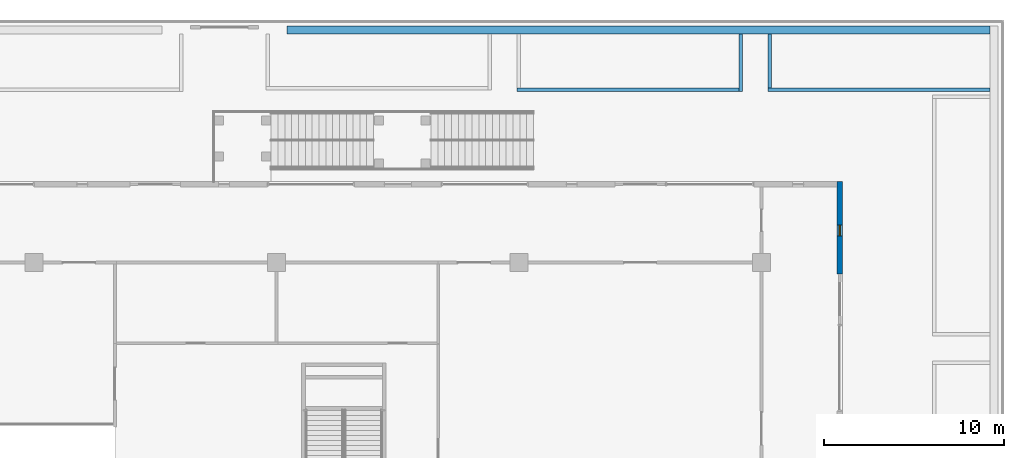
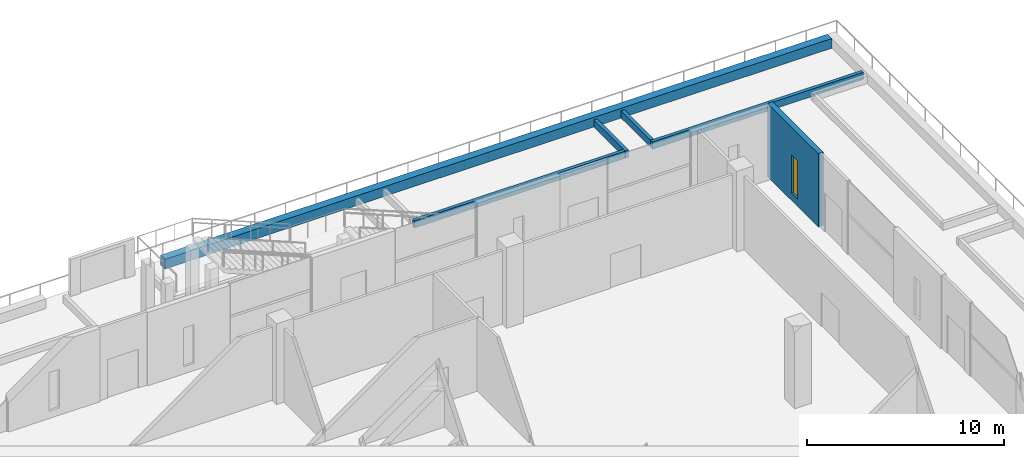
# One storey, part 41 of 49: 6 walls, 1 window, 1 opening.
"""IFC4 building model written with IfcOpenShell, lengths in metres."""

import ifcopenshell
import ifcopenshell.guid

model = None  # the IFC model being written
_history = None  # IfcOwnerHistory: only IFC2X3 demands one
_inside = {}  # id of a spatial element -> (the spatial element, [elements in it])
_under = {}  # id of a project, library or spatial element -> (it, [spatial elements below it])
_declared = {}  # id of a project -> (the project, [libraries it declares])
_typed = {}  # id of a type object -> (the type object, [elements of that type])
_made_of = {}  # id of a material, layer set ... -> (it, [elements and type objects made of it])


def new_model(schema):
    """Start an empty IFC model of exactly this schema.

    Asked for "IFC4X3", IfcOpenShell would pick the latest addendum, in which some entities
    have other attributes; the version numbers below select the first issue.
    IFC2X3 requires an IfcOwnerHistory on every rooted entity: one is made here for all.
    """
    global model, _history
    if schema == "IFC4X3":
        model = ifcopenshell.file(schema_version=(4, 3, 0, 0))
    else:
        model = ifcopenshell.file(schema=schema)
    _inside.clear()
    _under.clear()
    _declared.clear()
    _typed.clear()
    _made_of.clear()
    _history = None
    if model.schema == "IFC2X3":
        org = make("IfcOrganization", Name="unknown")
        user = make(
            "IfcPersonAndOrganization",
            ThePerson=make("IfcPerson", FamilyName="unknown"),
            TheOrganization=org,
        )
        app = make(
            "IfcApplication",
            ApplicationDeveloper=org,
            Version="unknown",
            ApplicationFullName="unknown",
            ApplicationIdentifier="unknown",
        )
        _history = make(
            "IfcOwnerHistory",
            OwningUser=user,
            OwningApplication=app,
            ChangeAction="ADDED",
            CreationDate=0,
        )
    return model


def make(cls, **values):
    """One entity of the class cls with the attributes given. An attribute that is None is left unset."""
    return model.create_entity(
        cls, **{name: value for name, value in values.items() if value is not None}
    )


def rooted(cls, **values):
    """An entity with a GlobalId (a new one), such as an element, a storey or a relation."""
    return make(cls, GlobalId=ifcopenshell.guid.new(), OwnerHistory=_history, **values)


def si_unit(unit_type, name, prefix=None):
    """IfcSIUnit, for example si_unit("LENGTHUNIT", "METRE", prefix="MILLI")."""
    return make("IfcSIUnit", UnitType=unit_type, Prefix=prefix, Name=name)


def assignment(units):
    """IfcUnitAssignment: the units of a project."""
    return None if units is None else make("IfcUnitAssignment", Units=units)


def point(xyz):
    """IfcCartesianPoint."""
    return None if xyz is None else make("IfcCartesianPoint", Coordinates=xyz)


def direction(xyz):
    """IfcDirection."""
    return None if xyz is None else make("IfcDirection", DirectionRatios=xyz)


def frame(location, z_axis=None, x_axis=None):
    """IfcAxis2Placement3D, a coordinate frame: its origin and axes. An axis left out is left unset."""
    return make(
        "IfcAxis2Placement3D",
        Location=point(location),
        Axis=direction(z_axis),
        RefDirection=direction(x_axis),
    )


def frame_2d(location, x_axis=None):
    """IfcAxis2Placement2D, a coordinate frame in the plane: its origin and x axis."""
    return make(
        "IfcAxis2Placement2D", Location=point(location), RefDirection=direction(x_axis)
    )


def origin():
    """The frame at (0, 0, 0) with its axes left unset."""
    return frame((0.0, 0.0, 0.0))


def place(relative_to, where):
    """IfcLocalPlacement: puts the frame where relative to a parent placement (None: the world)."""
    return make(
        "IfcLocalPlacement", PlacementRelTo=relative_to, RelativePlacement=where
    )


def context(
    kind, dimensions, precision=None, world=None, true_north=None, identifier=None
):
    """IfcGeometricRepresentationContext, for example the 3D "Model" context."""
    return make(
        "IfcGeometricRepresentationContext",
        ContextIdentifier=identifier,
        ContextType=kind,
        CoordinateSpaceDimension=dimensions,
        Precision=precision,
        WorldCoordinateSystem=world,
        TrueNorth=true_north,
    )


def subcontext(parent, identifier, kind, view, scale=None):
    """IfcGeometricRepresentationSubContext, for example "Body" below "Model"."""
    return make(
        "IfcGeometricRepresentationSubContext",
        ContextIdentifier=identifier,
        ContextType=kind,
        ParentContext=parent,
        TargetScale=scale,
        TargetView=view,
    )


def project(units=None, contexts=None):
    """IfcProject with its units and contexts."""
    return rooted(
        "IfcProject",
        Name="project",
        RepresentationContexts=contexts,
        UnitsInContext=assignment(units),
    )


def spatial(cls, under=None, at=None, **own):
    """A site, building, storey or space (cls), placed at a placement, below another one or the project."""
    s = rooted(cls, ObjectPlacement=at, **own)
    if under is not None:
        _under.setdefault(under.id(), (under, []))[1].append(s)
    return s


def profile(cls, at=None, kind="AREA", **sizes):
    """A parametric profile (cls). Its sizes go by their IFC names, for example OverallWidth=200.0."""
    return make(cls, ProfileType=kind, Position=at, **sizes)


def rectangle(**sizes):
    """IfcRectangleProfileDef."""
    return profile("IfcRectangleProfileDef", **sizes)


def extrude(swept, where, along, depth):
    """IfcExtrudedAreaSolid: the profile swept, set in the frame where, extruded along a direction by depth."""
    return make(
        "IfcExtrudedAreaSolid",
        SweptArea=swept,
        Position=where,
        ExtrudedDirection=direction(along),
        Depth=depth,
    )


def shape(context_of_items, identifier, shape_type, items):
    """IfcShapeRepresentation: the items that make up one representation, for example the "Body"."""
    return make(
        "IfcShapeRepresentation",
        ContextOfItems=context_of_items,
        RepresentationIdentifier=identifier,
        RepresentationType=shape_type,
        Items=items,
    )


def material(Name=None, Category=None):
    """IfcMaterial."""
    return make("IfcMaterial", Name=Name, Category=Category)


def layer(
    of_material, thickness, ventilated=None, Name=None, Category=None, Priority=None
):
    """IfcMaterialLayer: one layer of a wall or slab, of a material (None: an air gap)."""
    return make(
        "IfcMaterialLayer",
        Material=of_material,
        LayerThickness=thickness,
        IsVentilated=ventilated,
        Name=Name,
        Category=Category,
        Priority=Priority,
    )


def layer_set(layers, Name=None):
    """IfcMaterialLayerSet."""
    return make("IfcMaterialLayerSet", MaterialLayers=layers, LayerSetName=Name)


def made_of(thing, what):
    """Note that an element or type object is made of a material, layer set ...; save() writes the relation."""
    if what is not None:
        _made_of.setdefault(what.id(), (what, []))[1].append(thing)
    return thing


def type_object(cls, material=None, **own):
    """A type object (cls), such as IfcWallType, which elements share."""
    return made_of(rooted(cls, **own), material)


def element(
    cls,
    number,
    at=None,
    inside=None,
    cuts=None,
    type_object=None,
    material=None,
    context=None,
    identifier="Body",
    shape_type=None,
    held_by="IfcProductDefinitionShape",
    body=None,
    shapes=None,
    **own,
):
    """One element of the class cls, such as IfcWall. Its Tag is "e" and its number.

    at: its placement. inside: the storey or other place that contains it. cuts: it is an
    opening in that element (IfcRelVoidsElement). A single representation is given by context,
    identifier, shape_type and body (its items); several are given by shapes. held_by: the class
    of the entity that holds the representations. save() writes the other relations.
    """
    e = rooted(cls, Tag="e%d" % number, ObjectPlacement=at, **own)
    if body is not None:
        shapes = [shape(context, identifier, shape_type, body)]
    if shapes is not None:
        e.Representation = make(held_by, Representations=shapes)
    if inside is not None:
        _inside.setdefault(inside.id(), (inside, []))[1].append(e)
    if cuts is not None:
        rooted(
            "IfcRelVoidsElement", RelatingBuildingElement=cuts, RelatedOpeningElement=e
        )
    if type_object is not None:
        _typed.setdefault(type_object.id(), (type_object, []))[1].append(e)
    return made_of(e, material)


def fill(opening, filler):
    """IfcRelFillsElement: the door or window that sits in an opening."""
    return rooted(
        "IfcRelFillsElement",
        RelatingOpeningElement=opening,
        RelatedBuildingElement=filler,
    )


def aggregate(whole, parts):
    """IfcRelAggregates: a whole, such as a stair, and the parts it consists of."""
    return rooted("IfcRelAggregates", RelatingObject=whole, RelatedObjects=parts)


def save(model, path):
    """Write the relations noted so far, then the file.

    IfcRelAggregates (storeys below a building ...), IfcRelContainedInSpatialStructure (elements
    in a storey), IfcRelDefinesByType, IfcRelAssociatesMaterial and IfcRelDeclares: one each for
    every whole, place, type object, material and project.
    """
    for whole, parts in _under.values():
        aggregate(whole, parts)
    for where, things in _inside.values():
        rooted(
            "IfcRelContainedInSpatialStructure",
            RelatedElements=things,
            RelatingStructure=where,
        )
    for kind, things in _typed.values():
        rooted("IfcRelDefinesByType", RelatedObjects=things, RelatingType=kind)
    for what, things in _made_of.values():
        rooted("IfcRelAssociatesMaterial", RelatedObjects=things, RelatingMaterial=what)
    for by, libraries in _declared.values():
        rooted("IfcRelDeclares", RelatingContext=by, RelatedDefinitions=libraries)
    model.write(path)


model = new_model("IFC4")

# Units and contexts
model_context = context("Model", 3, precision=1e-05, world=origin(), true_north=direction((0.0, 1.0)))
body_context = subcontext(model_context, "Body", "Model", "MODEL_VIEW")
ifc_project = project(units=[si_unit("LENGTHUNIT", "METRE"), si_unit("AREAUNIT", "SQUARE_METRE"), si_unit("VOLUMEUNIT", "CUBIC_METRE"), si_unit("PLANEANGLEUNIT", "RADIAN"), si_unit("MASSUNIT", "GRAM", prefix="KILO")], contexts=[model_context])

# Site, building, storey
site_placement = place(None, origin())
site = spatial("IfcSite", under=ifc_project, at=site_placement, CompositionType="ELEMENT")
building_placement = place(site_placement, origin())
building = spatial("IfcBuilding", under=site, at=building_placement, Name="Altepetl Exchange Towers", CompositionType="ELEMENT")
storey_placement = place(building_placement, frame((0.0, 0.0, 11.5)))
storey = spatial("IfcBuildingStorey", under=building, at=storey_placement, Name="L02 Exchange podium", CompositionType="ELEMENT", Elevation=11.5)

# Walls
ifc_material_1 = material(Name="Concrete C30/37", Category="concrete")
ifc_layer_1 = layer(ifc_material_1, 0.449951171875)
ifc_layer_set_1 = layer_set([ifc_layer_1], Name="Concrete C30/37")
wall_type_1 = type_object("IfcWallType", Name="Planter wall 450 concrete", PredefinedType="SOLIDWALL", material=ifc_layer_set_1)
wall_1_placement = place(storey_placement, frame((143.22509765625, 89.449951171875, 0.0), z_axis=(0.0, 0.0, 1.0), x_axis=(-1.0, 0.0, 0.0)))
element("IfcWall", 1, at=wall_1_placement, inside=storey, type_object=wall_type_1, Name="Planter bed wall", PredefinedType="SOLIDWALL", context=body_context, shape_type="SweptSolid", body=[
    extrude(rectangle(XDim=39.132568359375, YDim=0.449951171875, at=frame_2d((19.56640625, 0.0))), origin(), (0.0, 0.0, 1.0), 0.60009765625),
])
ifc_material_2 = material(Name="Reinforced concrete C35/45", Category="concrete")
ifc_layer_2 = layer(ifc_material_2, 0.199951171875)
ifc_layer_set_2 = layer_set([ifc_layer_2], Name="Reinforced concrete C35/45")
wall_type_2 = type_object("IfcWallType", Name="Planting bed curb 200", PredefinedType="SOLIDWALL", material=ifc_layer_set_2)
wall_2_placement = place(storey_placement, frame((129.35009765625, 86.02490234375, 0.0), z_axis=(0.0, 0.0, 1.0), x_axis=(0.0, 1.0, 0.0)))
element("IfcWall", 2, at=wall_2_placement, inside=storey, type_object=wall_type_2, Name="wall:P:L02:CB11e", PredefinedType="SOLIDWALL", context=body_context, shape_type="SweptSolid", body=[
    extrude(rectangle(XDim=3.2001953125, YDim=0.199951171875, at=frame_2d((1.60009765625, 0.0))), origin(), (0.0, 0.0, 1.0), 0.449951171875),
])
for number, where, name in (
    (3, (116.875, 86.125, 0.0), "wall:P:L02:CB11s"),
    (4, (130.85009765625, 86.125, 0.0), "wall:P:L02:CB12s"),
):
    element("IfcWall", number, at=place(storey_placement, frame(where)), inside=storey, type_object=wall_type_2, Name=name, PredefinedType="SOLIDWALL", context=body_context, shape_type="SweptSolid", body=[
        extrude(rectangle(XDim=12.375, YDim=0.199951171875, at=frame_2d((6.1875, 0.0))), origin(), (0.0, 0.0, 1.0), 0.449951171875),
    ])
wall_3_placement = place(storey_placement, frame((130.949951171875, 86.22509765625, 0.0), z_axis=(0.0, 0.0, 1.0), x_axis=(0.0, 1.0, 0.0)))
element("IfcWall", 5, at=wall_3_placement, inside=storey, type_object=wall_type_2, Name="wall:P:L02:CB12w", PredefinedType="SOLIDWALL", context=body_context, shape_type="SweptSolid", body=[
    extrude(rectangle(XDim=3.0, YDim=0.199951171875, at=frame_2d((1.5, 0.0))), origin(), (0.0, 0.0, 1.0), 0.449951171875),
])

# Wall, opening, window
ifc_material_3 = material(Name="Cantera limestone cladding", Category="masonry")
ifc_layer_3 = layer(ifc_material_3, 0.300048828125)
ifc_layer_set_3 = layer_set([ifc_layer_3], Name="Cantera limestone cladding")
wall_type_3 = type_object("IfcWallType", Name="Stone wall panel 300", PredefinedType="ELEMENTEDWALL", material=ifc_layer_set_3)
wall_4_placement = place(storey_placement, frame((134.85009765625, 75.85009765625, 0.0), z_axis=(0.0, 0.0, 1.0), x_axis=(0.0, 1.0, 0.0)))
wall_4 = element("IfcWall", 6, at=wall_4_placement, inside=storey, type_object=wall_type_3, Name="Stone wall panel", PredefinedType="ELEMENTEDWALL", context=body_context, shape_type="SweptSolid", body=[
    extrude(rectangle(XDim=5.14990234375, YDim=0.300048828125, at=frame_2d((2.574951171875, 0.0))), origin(), (0.0, 0.0, 1.0), 4.550048828125),
])
opening_placement = place(wall_4_placement, frame((2.125, 0.0, 0.449951171875)))
opening = element("IfcOpeningElement", 7, at=opening_placement, cuts=wall_4, Name="Opening W3", PredefinedType="OPENING", context=body_context, shape_type="SweptSolid", body=[
    extrude(rectangle(XDim=0.60009765625, YDim=2.39990234375, at=frame_2d((0.300048828125, 1.199951171875))), frame((0.0, 0.16015625, 0.0), z_axis=(0.0, -1.0, 0.0), x_axis=(1.0, 0.0, 0.0)), (0.0, 0.0, 1.0), 0.320068359375),
])
ifc_material_4 = material(Name="Aluminium 6063-T6 and glass", Category="aluminium")
window_type = type_object("IfcWindowType", Name="Tall slot window 600x2400", PartitioningType="SINGLE_PANEL", PredefinedType="WINDOW", material=ifc_material_4)
window_placement = place(opening_placement, origin())
window = element("IfcWindow", 8, at=window_placement, inside=storey, type_object=window_type, Name="Window", OverallHeight=2.39990234375, OverallWidth=0.60009765625, PartitioningType="SINGLE_PANEL", PredefinedType="WINDOW", context=body_context, shape_type="SweptSolid", body=[
    extrude(rectangle(XDim=0.60009765625, YDim=2.39990234375, at=frame_2d((0.300048828125, 1.199951171875))), frame((0.0, 0.030029296875, 0.0), z_axis=(0.0, -1.0, 0.0), x_axis=(1.0, 0.0, 0.0)), (0.0, 0.0, 1.0), 0.06005859375),
])
fill(opening, window)

save(model, "model.ifc")
